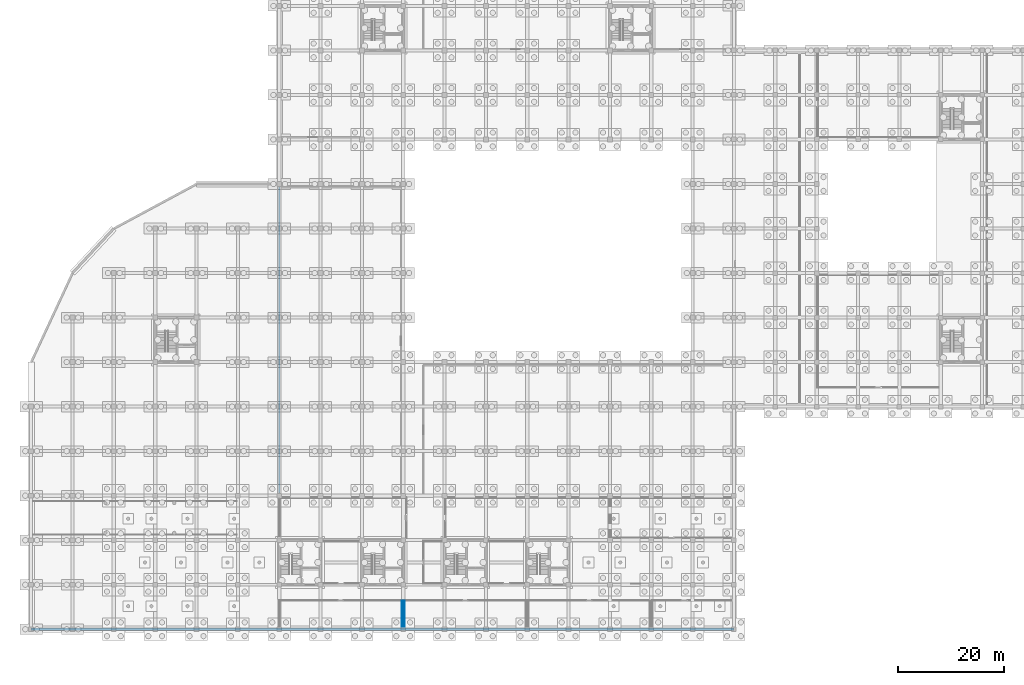
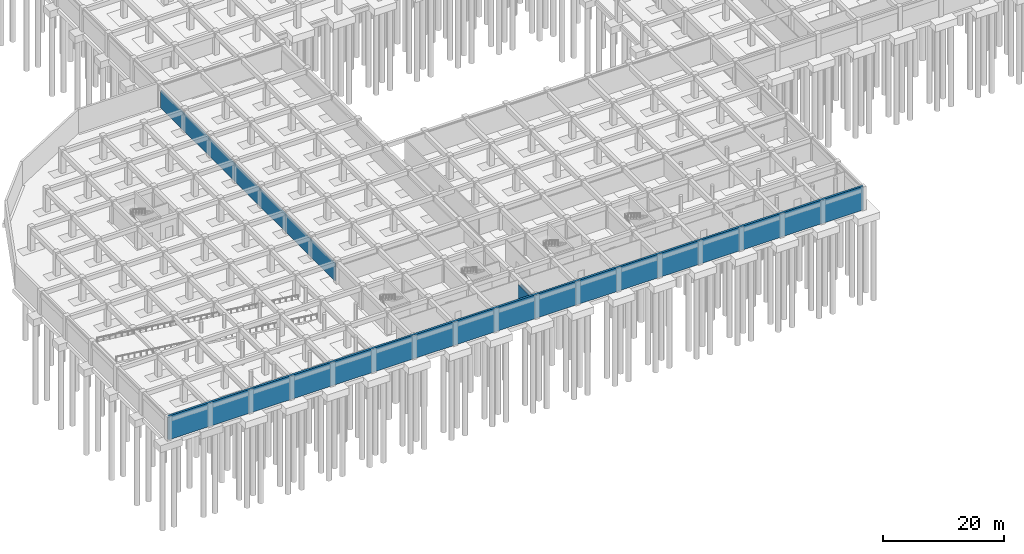
# One storey, part 18 of 31: 4 walls.
"""IFC4 building model written with IfcOpenShell, lengths in metres."""

from ifc_helpers import new_model, si_unit, direction, frame, frame_2d, origin, origin_with_axes, place, context, subcontext, project, spatial, rectangle, extrude, material, layer, layer_set, type_object, element, save


model = new_model("IFC4")

# Units and contexts
model_context = context("Model", 3, precision=1e-05, world=origin(), true_north=direction((0.0, 1.0)))
body_context = subcontext(model_context, "Body", "Model", "MODEL_VIEW")
ifc_project = project(units=[si_unit("LENGTHUNIT", "METRE"), si_unit("AREAUNIT", "SQUARE_METRE"), si_unit("VOLUMEUNIT", "CUBIC_METRE"), si_unit("PLANEANGLEUNIT", "RADIAN"), si_unit("MASSUNIT", "GRAM", prefix="KILO")], contexts=[model_context])

# Site, building, storey
site_placement = place(None, origin())
site = spatial("IfcSite", under=ifc_project, at=site_placement, CompositionType="ELEMENT")
building_placement = place(site_placement, origin())
building = spatial("IfcBuilding", under=site, at=building_placement, Name="Zizhar Promenade General Hospital", CompositionType="ELEMENT")
storey_placement = place(building_placement, frame((0.0, 0.0, -4.800048828125)))
storey = spatial("IfcBuildingStorey", under=building, at=storey_placement, Name="B1", CompositionType="ELEMENT", Elevation=-4.800048828125)

# Walls
ifc_material_1 = material(Name="Chemical-resistant laboratory partition")
ifc_layer_1 = layer(ifc_material_1, 0.135009765625)
ifc_layer_set_1 = layer_set([ifc_layer_1], Name="Chemical-resistant laboratory partition")
wall_type_1 = type_object("IfcWallType", Name="IW-LAB-135", PredefinedType="PARTITIONING", material=ifc_layer_set_1)
for number, where, z_axis, x_axis, name in (
    (1, (70.0, 0.5, 0.0), (0.0, 0.0, 1.0), (0.0, 1.0, 0.0), "Central Sterile Supply Decontamination E Partition"),
    (2, (70.39990234375, 0.5, 0.0), (0.0, 0.0, 1.0), (0.0, 1.0, 0.0), "Central Sterile Supply Autoclave Hall W Partition"),
):
    element("IfcWall", number, at=place(storey_placement, frame(where, z_axis=z_axis, x_axis=x_axis)), inside=storey, type_object=wall_type_1, Name=name, PredefinedType="PARTITIONING", context=body_context, shape_type="SweptSolid", body=[
        extrude(rectangle(XDim=4.89990234375, YDim=0.135009765625, at=frame_2d((2.449951171875, 0.0))), origin(), (0.0, 0.0, 1.0), 3.51513671875),
    ])
ifc_material_2 = material(Name="Concrete block masonry C30/37", Category="masonry")
ifc_layer_2 = layer(ifc_material_2, 0.22998046875)
ifc_layer_set_2 = layer_set([ifc_layer_2], Name="Concrete block masonry C30/37")
wall_type_2 = type_object("IfcWallType", Name="IW-PLNT-230", PredefinedType="STANDARD", material=ifc_layer_set_2)
wall_1_placement = place(storey_placement, frame((46.800048828125, 25.760009765625, 0.0), z_axis=(0.0, 0.0, 1.0), x_axis=(0.0, 1.0, 0.0)))
element("IfcWall", 3, at=wall_1_placement, inside=storey, type_object=wall_type_2, Name="Chiller and Heat-Pump Plant Room W Partition", PredefinedType="STANDARD", context=body_context, shape_type="SweptSolid", body=[
    extrude(rectangle(XDim=57.639892578125, YDim=0.22998046875, at=frame_2d((28.81982421875, 0.0))), origin(), (0.0, 0.0, 1.0), 3.51513671875),
])
ifc_material_3 = material(Name="Concrete C35/45", Category="concrete")
ifc_layer_3 = layer(ifc_material_3, 0.39990234375)
ifc_layer_set_3 = layer_set([ifc_layer_3], Name="Concrete C35/45")
wall_type_3 = type_object("IfcWallType", Name="WL-BSMT-400", PredefinedType="SOLIDWALL", material=ifc_layer_set_3)
wall_2_placement = place(storey_placement, origin_with_axes())
element("IfcWall", 4, at=wall_2_placement, inside=storey, type_object=wall_type_3, Name="Basement Retaining Wall B01", PredefinedType="SOLIDWALL", context=body_context, shape_type="SweptSolid", body=[
    extrude(rectangle(XDim=132.60009765625, YDim=0.39990234375, at=frame_2d((66.300048828125, 0.0))), origin(), (0.0, 0.0, 1.0), 4.800048828125),
])

save(model, "model.ifc")
